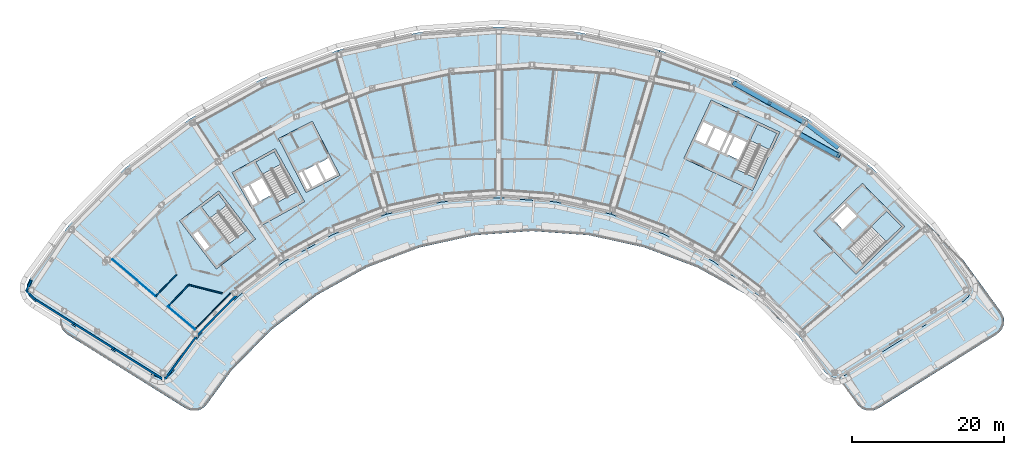
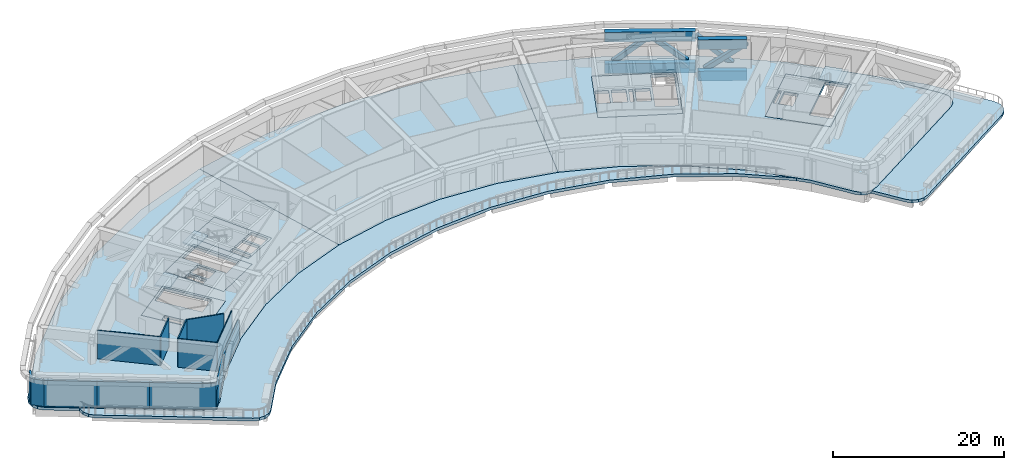
# One storey, part 6 of 26: 14 slabs, 13 walls, 4 beams, 4 members, 4 elements without a shape of their own.
"""IFC4 building model written with IfcOpenShell, lengths in metres."""

import ifcopenshell
import ifcopenshell.guid

model = None  # the IFC model being written
_history = None  # IfcOwnerHistory: only IFC2X3 demands one
_inside = {}  # id of a spatial element -> (the spatial element, [elements in it])
_under = {}  # id of a project, library or spatial element -> (it, [spatial elements below it])
_declared = {}  # id of a project -> (the project, [libraries it declares])
_typed = {}  # id of a type object -> (the type object, [elements of that type])
_made_of = {}  # id of a material, layer set ... -> (it, [elements and type objects made of it])


def new_model(schema):
    """Start an empty IFC model of exactly this schema.

    Asked for "IFC4X3", IfcOpenShell would pick the latest addendum, in which some entities
    have other attributes; the version numbers below select the first issue.
    IFC2X3 requires an IfcOwnerHistory on every rooted entity: one is made here for all.
    """
    global model, _history
    if schema == "IFC4X3":
        model = ifcopenshell.file(schema_version=(4, 3, 0, 0))
    else:
        model = ifcopenshell.file(schema=schema)
    _inside.clear()
    _under.clear()
    _declared.clear()
    _typed.clear()
    _made_of.clear()
    _history = None
    if model.schema == "IFC2X3":
        org = make("IfcOrganization", Name="unknown")
        user = make(
            "IfcPersonAndOrganization",
            ThePerson=make("IfcPerson", FamilyName="unknown"),
            TheOrganization=org,
        )
        app = make(
            "IfcApplication",
            ApplicationDeveloper=org,
            Version="unknown",
            ApplicationFullName="unknown",
            ApplicationIdentifier="unknown",
        )
        _history = make(
            "IfcOwnerHistory",
            OwningUser=user,
            OwningApplication=app,
            ChangeAction="ADDED",
            CreationDate=0,
        )
    return model


def make(cls, **values):
    """One entity of the class cls with the attributes given. An attribute that is None is left unset."""
    return model.create_entity(
        cls, **{name: value for name, value in values.items() if value is not None}
    )


def rooted(cls, **values):
    """An entity with a GlobalId (a new one), such as an element, a storey or a relation."""
    return make(cls, GlobalId=ifcopenshell.guid.new(), OwnerHistory=_history, **values)


def si_unit(unit_type, name, prefix=None):
    """IfcSIUnit, for example si_unit("LENGTHUNIT", "METRE", prefix="MILLI")."""
    return make("IfcSIUnit", UnitType=unit_type, Prefix=prefix, Name=name)


def assignment(units):
    """IfcUnitAssignment: the units of a project."""
    return None if units is None else make("IfcUnitAssignment", Units=units)


def point(xyz):
    """IfcCartesianPoint."""
    return None if xyz is None else make("IfcCartesianPoint", Coordinates=xyz)


def direction(xyz):
    """IfcDirection."""
    return None if xyz is None else make("IfcDirection", DirectionRatios=xyz)


def frame(location, z_axis=None, x_axis=None):
    """IfcAxis2Placement3D, a coordinate frame: its origin and axes. An axis left out is left unset."""
    return make(
        "IfcAxis2Placement3D",
        Location=point(location),
        Axis=direction(z_axis),
        RefDirection=direction(x_axis),
    )


def frame_2d(location, x_axis=None):
    """IfcAxis2Placement2D, a coordinate frame in the plane: its origin and x axis."""
    return make(
        "IfcAxis2Placement2D", Location=point(location), RefDirection=direction(x_axis)
    )


def origin():
    """The frame at (0, 0, 0) with its axes left unset."""
    return frame((0.0, 0.0, 0.0))


def origin_2d():
    """The frame at (0, 0) in the plane with its x axis left unset."""
    return frame_2d((0.0, 0.0))


def place(relative_to, where):
    """IfcLocalPlacement: puts the frame where relative to a parent placement (None: the world)."""
    return make(
        "IfcLocalPlacement", PlacementRelTo=relative_to, RelativePlacement=where
    )


def context(
    kind, dimensions, precision=None, world=None, true_north=None, identifier=None
):
    """IfcGeometricRepresentationContext, for example the 3D "Model" context."""
    return make(
        "IfcGeometricRepresentationContext",
        ContextIdentifier=identifier,
        ContextType=kind,
        CoordinateSpaceDimension=dimensions,
        Precision=precision,
        WorldCoordinateSystem=world,
        TrueNorth=true_north,
    )


def subcontext(parent, identifier, kind, view, scale=None):
    """IfcGeometricRepresentationSubContext, for example "Body" below "Model"."""
    return make(
        "IfcGeometricRepresentationSubContext",
        ContextIdentifier=identifier,
        ContextType=kind,
        ParentContext=parent,
        TargetScale=scale,
        TargetView=view,
    )


def project(units=None, contexts=None):
    """IfcProject with its units and contexts."""
    return rooted(
        "IfcProject",
        Name="project",
        RepresentationContexts=contexts,
        UnitsInContext=assignment(units),
    )


def spatial(cls, under=None, at=None, **own):
    """A site, building, storey or space (cls), placed at a placement, below another one or the project."""
    s = rooted(cls, ObjectPlacement=at, **own)
    if under is not None:
        _under.setdefault(under.id(), (under, []))[1].append(s)
    return s


def polyline(points):
    """IfcPolyline through the points."""
    return make("IfcPolyline", Points=[point(p) for p in points])


def profile(cls, at=None, kind="AREA", **sizes):
    """A parametric profile (cls). Its sizes go by their IFC names, for example OverallWidth=200.0."""
    return make(cls, ProfileType=kind, Position=at, **sizes)


def rectangle(**sizes):
    """IfcRectangleProfileDef."""
    return profile("IfcRectangleProfileDef", **sizes)


def hollow_rectangle(**sizes):
    """IfcRectangleHollowProfileDef."""
    return profile("IfcRectangleHollowProfileDef", **sizes)


def outline(outer, holes=None, kind="AREA"):
    """IfcArbitraryClosedProfileDef: a profile drawn as a closed curve; with holes, ...WithVoids."""
    if holes is None:
        return make("IfcArbitraryClosedProfileDef", ProfileType=kind, OuterCurve=outer)
    return make(
        "IfcArbitraryProfileDefWithVoids",
        ProfileType=kind,
        OuterCurve=outer,
        InnerCurves=holes,
    )


def extrude(swept, where, along, depth):
    """IfcExtrudedAreaSolid: the profile swept, set in the frame where, extruded along a direction by depth."""
    return make(
        "IfcExtrudedAreaSolid",
        SweptArea=swept,
        Position=where,
        ExtrudedDirection=direction(along),
        Depth=depth,
    )


def shape(context_of_items, identifier, shape_type, items):
    """IfcShapeRepresentation: the items that make up one representation, for example the "Body"."""
    return make(
        "IfcShapeRepresentation",
        ContextOfItems=context_of_items,
        RepresentationIdentifier=identifier,
        RepresentationType=shape_type,
        Items=items,
    )


def material(Name=None, Category=None):
    """IfcMaterial."""
    return make("IfcMaterial", Name=Name, Category=Category)


def layer(
    of_material, thickness, ventilated=None, Name=None, Category=None, Priority=None
):
    """IfcMaterialLayer: one layer of a wall or slab, of a material (None: an air gap)."""
    return make(
        "IfcMaterialLayer",
        Material=of_material,
        LayerThickness=thickness,
        IsVentilated=ventilated,
        Name=Name,
        Category=Category,
        Priority=Priority,
    )


def layer_set(layers, Name=None):
    """IfcMaterialLayerSet."""
    return make("IfcMaterialLayerSet", MaterialLayers=layers, LayerSetName=Name)


def material_profile(
    of_material, cross_section, Name=None, Category=None, Priority=None
):
    """IfcMaterialProfile: a cross section and its material."""
    return make(
        "IfcMaterialProfile",
        Name=Name,
        Material=of_material,
        Profile=cross_section,
        Priority=Priority,
        Category=Category,
    )


def profile_set(profiles, Name=None, composite=None):
    """IfcMaterialProfileSet."""
    return make(
        "IfcMaterialProfileSet",
        Name=Name,
        MaterialProfiles=profiles,
        CompositeProfile=composite,
    )


def made_of(thing, what):
    """Note that an element or type object is made of a material, layer set ...; save() writes the relation."""
    if what is not None:
        _made_of.setdefault(what.id(), (what, []))[1].append(thing)
    return thing


def type_object(cls, material=None, **own):
    """A type object (cls), such as IfcWallType, which elements share."""
    return made_of(rooted(cls, **own), material)


def element(
    cls,
    number,
    at=None,
    inside=None,
    cuts=None,
    type_object=None,
    material=None,
    context=None,
    identifier="Body",
    shape_type=None,
    held_by="IfcProductDefinitionShape",
    body=None,
    shapes=None,
    **own,
):
    """One element of the class cls, such as IfcWall. Its Tag is "e" and its number.

    at: its placement. inside: the storey or other place that contains it. cuts: it is an
    opening in that element (IfcRelVoidsElement). A single representation is given by context,
    identifier, shape_type and body (its items); several are given by shapes. held_by: the class
    of the entity that holds the representations. save() writes the other relations.
    """
    e = rooted(cls, Tag="e%d" % number, ObjectPlacement=at, **own)
    if body is not None:
        shapes = [shape(context, identifier, shape_type, body)]
    if shapes is not None:
        e.Representation = make(held_by, Representations=shapes)
    if inside is not None:
        _inside.setdefault(inside.id(), (inside, []))[1].append(e)
    if cuts is not None:
        rooted(
            "IfcRelVoidsElement", RelatingBuildingElement=cuts, RelatedOpeningElement=e
        )
    if type_object is not None:
        _typed.setdefault(type_object.id(), (type_object, []))[1].append(e)
    return made_of(e, material)


def aggregate(whole, parts):
    """IfcRelAggregates: a whole, such as a stair, and the parts it consists of."""
    return rooted("IfcRelAggregates", RelatingObject=whole, RelatedObjects=parts)


def save(model, path):
    """Write the relations noted so far, then the file.

    IfcRelAggregates (storeys below a building ...), IfcRelContainedInSpatialStructure (elements
    in a storey), IfcRelDefinesByType, IfcRelAssociatesMaterial and IfcRelDeclares: one each for
    every whole, place, type object, material and project.
    """
    for whole, parts in _under.values():
        aggregate(whole, parts)
    for where, things in _inside.values():
        rooted(
            "IfcRelContainedInSpatialStructure",
            RelatedElements=things,
            RelatingStructure=where,
        )
    for kind, things in _typed.values():
        rooted("IfcRelDefinesByType", RelatedObjects=things, RelatingType=kind)
    for what, things in _made_of.values():
        rooted("IfcRelAssociatesMaterial", RelatedObjects=things, RelatingMaterial=what)
    for by, libraries in _declared.values():
        rooted("IfcRelDeclares", RelatingContext=by, RelatedDefinitions=libraries)
    model.write(path)


model = new_model("IFC4")

# Units and contexts
model_context = context("Model", 3, precision=1e-05, world=origin(), true_north=direction((0.0, 1.0)))
body_context = subcontext(model_context, "Body", "Model", "MODEL_VIEW")
ifc_project = project(units=[si_unit("LENGTHUNIT", "METRE"), si_unit("AREAUNIT", "SQUARE_METRE"), si_unit("VOLUMEUNIT", "CUBIC_METRE"), si_unit("PLANEANGLEUNIT", "RADIAN"), si_unit("MASSUNIT", "GRAM", prefix="KILO")], contexts=[model_context])

# Site, building, storey
site_placement = place(None, origin())
site = spatial("IfcSite", under=ifc_project, at=site_placement, CompositionType="ELEMENT")
building_placement = place(site_placement, origin())
building = spatial("IfcBuilding", under=site, at=building_placement, Name="Tuul Gate Civic Tower", CompositionType="ELEMENT")
storey_placement = place(building_placement, frame((0.0, 0.0, 167.60009765625)))
storey = spatial("IfcBuildingStorey", under=building, at=storey_placement, Name="Plant and refuge floor 5", CompositionType="ELEMENT", Elevation=167.60009765625)

# Beams
ifc_material_1 = material(Name="Steel S460", Category="steel")
ifc_material_profile_1 = material_profile(ifc_material_1, hollow_rectangle(XDim=0.699951171875, YDim=1.39990234375, WallThickness=0.0400390625, at=origin_2d()), Name="BOX1400x700x40")
ifc_profile_set_1 = profile_set([ifc_material_profile_1], Name="Steel S460")
beam_type = type_object("IfcBeamType", Name="STR-TRANSFER TRUSS CHORD-BOX1400x700x40", PredefinedType="BEAM", material=ifc_profile_set_1)
for number, where, z_axis, x_axis, name in (
    (1, (41.39208984375, 1.593017578125, -1.10009765625), (-0.874588358597, 0.484866170202, 0.0), (-0.484866170202, -0.874588358597, 0.0), "Belt truss bottom chord"),
    (2, (41.39208984375, 1.593017578125, 3.39990234375), (-0.874588358597, 0.484866170202, 0.0), (-0.484866170202, -0.874588358597, 0.0), "Belt truss top chord"),
):
    element("IfcBeam", number, at=place(storey_placement, frame(where, z_axis=z_axis, x_axis=x_axis)), inside=storey, type_object=beam_type, Name=name, PredefinedType="BEAM", context=body_context, shape_type="SweptSolid", body=[
        extrude(hollow_rectangle(XDim=0.699951171875, YDim=1.39990234375, WallThickness=0.0400390625, at=origin_2d()), origin(), (0.0, 0.0, 1.0), 10.67724609375),
    ])
for number, where, z_axis, x_axis, name in (
    (3, (45.77587890625, -2.791015625, -1.10009765625), (-0.874617860677, 0.484812951337, 0.0), (-0.484812951337, -0.874617860677, 0.0), "Belt truss bottom chord"),
    (4, (45.77587890625, -2.791015625, 3.39990234375), (-0.874617860677, 0.484812951337, 0.0), (-0.484812951337, -0.874617860677, 0.0), "Belt truss top chord"),
):
    element("IfcBeam", number, at=place(storey_placement, frame(where, z_axis=z_axis, x_axis=x_axis)), inside=storey, type_object=beam_type, Name=name, PredefinedType="BEAM", context=body_context, shape_type="SweptSolid", body=[
        extrude(hollow_rectangle(XDim=0.699951171875, YDim=1.39990234375, WallThickness=0.0400390625, at=origin_2d()), origin(), (0.0, 0.0, 1.0), 5.745849609375),
    ])

# Members
ifc_material_2 = material(Name="Steel S355", Category="steel")
ifc_material_profile_2 = material_profile(ifc_material_2, hollow_rectangle(XDim=0.60009765625, YDim=0.60009765625, WallThickness=0.02490234375, at=origin_2d()), Name="BOX600x600x25")
ifc_profile_set_2 = profile_set([ifc_material_profile_2], Name="Steel S355")
member_type = type_object("IfcMemberType", Name="STR-TRANSFER TRUSS DIAGONAL-BOX600x600x25", PredefinedType="BRACE", material=ifc_profile_set_2)
for number, where, z_axis, x_axis, name in (
    (5, (45.642578125, -1.643310546875, -1.103271484375), (-0.608356350167, 0.463172070537, 0.644495294231), (-0.605763872928, -0.795644474785, 0.0), "Belt truss web"),
    (6, (41.395263671875, 1.591064453125, -1.103271484375), (-0.66870018652, 0.370751322671, 0.644502534739), (-0.484894414167, -0.874572699728, 0.0), "Belt truss web"),
):
    element("IfcMember", number, at=place(storey_placement, frame(where, z_axis=z_axis, x_axis=x_axis)), inside=storey, type_object=member_type, Name=name, PredefinedType="BRACE", context=body_context, shape_type="SweptSolid", body=[
        extrude(hollow_rectangle(XDim=0.60009765625, YDim=0.60009765625, WallThickness=0.02490234375, at=origin_2d()), origin(), (0.0, 0.0, 1.0), 6.991943359375),
    ])
member_1_placement = place(storey_placement, frame((32.050537109375, 6.77197265625, -1.103271484375), z_axis=(0.668719489497, -0.370742666013, 0.644487486275), x_axis=(0.484875048481, 0.874583436477, 0.0)))
element("IfcMember", 7, at=member_1_placement, inside=storey, type_object=member_type, Name="Belt truss web", PredefinedType="BRACE", context=body_context, shape_type="SweptSolid", body=[
    extrude(hollow_rectangle(XDim=0.60009765625, YDim=0.60009765625, WallThickness=0.02490234375, at=origin_2d()), origin(), (0.0, 0.0, 1.0), 6.9921875),
])
member_2_placement = place(storey_placement, frame((40.45166015625, 0.16015625, -1.10302734375), z_axis=(0.703170457293, -0.389751631371, 0.594680564533), x_axis=(0.484788575283, 0.874631372222, 0.0)))
element("IfcMember", 8, at=member_2_placement, inside=storey, type_object=member_type, Name="Belt truss web", PredefinedType="BRACE", context=body_context, shape_type="SweptSolid", body=[
    extrude(hollow_rectangle(XDim=0.60009765625, YDim=0.60009765625, WallThickness=0.02490234375, at=origin_2d()), origin(), (0.0, 0.0, 1.0), 7.576904296875),
])

# Slabs
ifc_material_3 = material(Name="Concrete C40/50", Category="concrete")
ifc_layer_1 = layer(ifc_material_3, 0.39990234375)
ifc_layer_set_1 = layer_set([ifc_layer_1], Name="Concrete C40/50")
slab_type_1 = type_object("IfcSlabType", Name="Core floor slab 400", PredefinedType="FLOOR", material=ifc_layer_set_1)
slab_1_placement = place(storey_placement, frame((0.0, 0.0, -0.400146484375)))
element("IfcSlab", 9, at=slab_1_placement, inside=storey, type_object=slab_type_1, Name="FLOOR SLAB", PredefinedType="FLOOR", context=body_context, shape_type="SweptSolid", body=[
    extrude(outline(polyline([(-31.10009765625, -13.7890625), (-35.946044921875, -7.423828125), (-41.11767578125, -11.361572265625), (-36.271484375, -17.726806640625), (-31.10009765625, -13.7890625)]), holes=[polyline([(-37.19287109375, -14.783203125), (-38.737548828125, -12.75439453125), (-39.45361328125, -13.299560546875), (-37.908935546875, -15.328369140625), (-37.19287109375, -14.783203125)]), polyline([(-32.33935546875, -12.65771484375), (-34.56591796875, -14.352783203125), (-38.229736328125, -9.54052734375), (-36.003173828125, -7.845458984375), (-32.33935546875, -12.65771484375)])]), origin(), (0.0, 0.0, 1.0), 0.400146484375),
])
slab_2_placement = place(storey_placement, frame((0.0, 0.0, -0.400146484375)))
element("IfcSlab", 10, at=slab_2_placement, inside=storey, type_object=slab_type_1, Name="FLOOR SLAB", PredefinedType="FLOOR", context=body_context, shape_type="SweptSolid", body=[
    extrude(outline(polyline([(-24.638916015625, -8.846923828125), (-28.51708984375, -1.849853515625), (-34.2021484375, -5.0009765625), (-30.32421875, -11.998046875), (-24.638916015625, -8.846923828125)]), holes=[polyline([(-29.0185546875, -7.958740234375), (-30.254638671875, -5.728515625), (-31.785400390625, -6.576904296875), (-30.54931640625, -8.80712890625), (-29.0185546875, -7.958740234375)]), polyline([(-30.8115234375, -8.95263671875), (-32.047607421875, -6.72216796875), (-32.8349609375, -7.158447265625), (-31.5986328125, -9.388916015625), (-30.8115234375, -8.95263671875)]), polyline([(-25.702392578125, -7.548828125), (-28.14990234375, -8.905517578125), (-31.08203125, -3.615234375), (-28.63427734375, -2.2587890625), (-25.702392578125, -7.548828125)])]), origin(), (0.0, 0.0, 1.0), 0.400146484375),
])
slab_3_placement = place(storey_placement, frame((0.0, 0.0, -0.400146484375)))
element("IfcSlab", 11, at=slab_3_placement, inside=storey, type_object=slab_type_1, Name="FLOOR SLAB", PredefinedType="FLOOR", context=body_context, shape_type="SweptSolid", body=[
    extrude(outline(polyline([(48.117919921875, -18.43310546875), (54.545166015625, -12.1328125), (48.945068359375, -6.419921875), (42.517822265625, -12.719970703125), (48.117919921875, -18.43310546875)]), holes=[polyline([(46.373779296875, -12.510986328125), (48.19482421875, -10.725830078125), (46.969970703125, -9.47607421875), (45.14892578125, -11.26123046875), (46.373779296875, -12.510986328125)]), polyline([(44.93896484375, -11.046875), (46.760009765625, -9.261962890625), (46.514892578125, -9.011962890625), (44.69384765625, -10.797119140625), (44.93896484375, -11.046875)]), polyline([(49.086181640625, -17.062744140625), (47.12744140625, -15.064208984375), (52.160888671875, -10.130126953125), (54.11962890625, -12.128662109375), (49.086181640625, -17.062744140625)])]), origin(), (0.0, 0.0, 1.0), 0.400146484375),
])
slab_4_placement = place(storey_placement, frame((0.0, 0.0, -0.400146484375)))
element("IfcSlab", 12, at=slab_4_placement, inside=storey, type_object=slab_type_1, Name="FLOOR SLAB", PredefinedType="FLOOR", context=body_context, shape_type="SweptSolid", body=[
    extrude(outline(polyline([(34.465087890625, -7.385986328125), (38.056884765625, 0.31787109375), (28.993896484375, 4.543701171875), (25.40185546875, -3.159912109375), (34.465087890625, -7.385986328125)]), holes=[polyline([(32.60888671875, -3.32080078125), (33.6865234375, -1.009765625), (32.1005859375, -0.27001953125), (31.02294921875, -2.581298828125), (32.60888671875, -3.32080078125)]), polyline([(30.0712890625, -2.137451171875), (31.14892578125, 0.173583984375), (29.562744140625, 0.9130859375), (28.4853515625, -1.39794921875), (30.0712890625, -2.137451171875)]), polyline([(30.751220703125, -2.454345703125), (31.82861328125, -0.143310546875), (31.4208984375, 0.046875), (30.34326171875, -2.264404296875), (30.751220703125, -2.454345703125)]), polyline([(28.21337890625, -1.27099609375), (29.291015625, 1.0400390625), (27.8408203125, 1.71630859375), (26.76318359375, -0.594970703125), (28.21337890625, -1.27099609375)]), polyline([(34.889892578125, -5.7626953125), (32.353759765625, -4.580078125), (35.120849609375, 1.354736328125), (37.6572265625, 0.17236328125), (34.889892578125, -5.7626953125)])]), origin(), (0.0, 0.0, 1.0), 0.400146484375),
])
ifc_material_4 = material(Name="Concrete C40/50", Category="concrete")
ifc_layer_2 = layer(ifc_material_4, 0.39990234375)
ifc_layer_set_2 = layer_set([ifc_layer_2], Name="Concrete C40/50")
slab_type_2 = type_object("IfcSlabType", Name="Core floor slab 400 non-bearing", PredefinedType="FLOOR", material=ifc_layer_set_2)
slab_5_placement = place(storey_placement, frame((0.0, 0.0, -0.400146484375)))
element("IfcSlab", 13, at=slab_5_placement, inside=storey, type_object=slab_type_2, Name="FLOOR SLAB", PredefinedType="FLOOR", context=body_context, shape_type="SweptSolid", body=[
    extrude(outline(polyline([(-19.98095703125, -5.365966796875), (-23.613037109375, 1.761962890625), (-28.068115234375, -0.508056640625), (-24.43603515625, -7.635986328125), (-19.98095703125, -5.365966796875)]), holes=[polyline([(-20.384521484375, -5.23486328125), (-21.47412109375, -3.096435546875), (-22.899658203125, -3.822998046875), (-21.81005859375, -5.961181640625), (-20.384521484375, -5.23486328125)]), polyline([(-22.077392578125, -6.097412109375), (-23.1669921875, -3.958984375), (-24.726318359375, -4.753662109375), (-23.63671875, -6.89208984375), (-22.077392578125, -6.097412109375)]), polyline([(-23.8359375, -7.161865234375), (-24.99365234375, -4.889892578125), (-25.5283203125, -5.162109375), (-24.37060546875, -7.434326171875), (-23.8359375, -7.161865234375)])]), origin(), (0.0, 0.0, 1.0), 0.400146484375),
])

# Stair, slab
ifc_material_5 = material(Name="Concrete C40/50", Category="concrete")
stair_type = type_object("IfcStairType", Name="Exit stair", PredefinedType="HALF_TURN_STAIR", material=ifc_material_5)
stair_1_placement = place(storey_placement, origin())
stair_1 = element("IfcStair", 14, at=stair_1_placement, inside=storey, type_object=stair_type, Name="Plant and refuge floor 5 ST-1", PredefinedType="HALF_TURN_STAIR")
ifc_material_6 = material(Name="Concrete C40/50", Category="concrete")
ifc_layer_3 = layer(ifc_material_6, 0.199951171875)
ifc_layer_set_3 = layer_set([ifc_layer_3], Name="Concrete C40/50")
slab_type_3 = type_object("IfcSlabType", Name="Exit stair landing", PredefinedType="LANDING", material=ifc_layer_set_3)
slab_6_placement = place(storey_placement, frame((0.0, 0.0, 2.0498046875)))
slab_6 = element("IfcSlab", 15, at=slab_6_placement, type_object=slab_type_3, Name="ST-1 landing 1", PredefinedType="LANDING", context=body_context, shape_type="SweptSolid", body=[
    extrude(outline(polyline([(-34.88134765625, -9.31640625), (-37.1103515625, -11.013427734375), (-38.23193359375, -9.540283203125), (-36.0029296875, -7.843017578125), (-34.88134765625, -9.31640625)])), origin(), (0.0, 0.0, 1.0), 0.2001953125),
])
aggregate(stair_1, [slab_6])

stair_2_placement = place(storey_placement, origin())
stair_2 = element("IfcStair", 16, at=stair_2_placement, inside=storey, type_object=stair_type, Name="Plant and refuge floor 5 ST-2", PredefinedType="HALF_TURN_STAIR")
slab_7_placement = place(storey_placement, frame((0.0, 0.0, 2.0498046875)))
slab_7 = element("IfcSlab", 17, at=slab_7_placement, type_object=slab_type_3, Name="ST-2 landing 1", PredefinedType="LANDING", context=body_context, shape_type="SweptSolid", body=[
    extrude(outline(polyline([(-27.736083984375, -3.8759765625), (-30.1865234375, -5.234130859375), (-31.084228515625, -3.61474609375), (-28.6337890625, -2.256591796875), (-27.736083984375, -3.8759765625)])), origin(), (0.0, 0.0, 1.0), 0.2001953125),
])
aggregate(stair_2, [slab_7])

stair_3_placement = place(storey_placement, origin())
stair_3 = element("IfcStair", 18, at=stair_3_placement, inside=storey, type_object=stair_type, Name="Plant and refuge floor 5 ST-3", PredefinedType="HALF_TURN_STAIR")
slab_8_placement = place(storey_placement, frame((0.0, 0.0, 2.0498046875)))
slab_8 = element("IfcSlab", 19, at=slab_8_placement, type_object=slab_type_3, Name="ST-3 landing 1", PredefinedType="LANDING", context=body_context, shape_type="SweptSolid", body=[
    extrude(outline(polyline([(52.085693359375, -14.124755859375), (50.12451171875, -12.1240234375), (52.160888671875, -10.1279296875), (54.1220703125, -12.128662109375), (52.085693359375, -14.124755859375)])), origin(), (0.0, 0.0, 1.0), 0.2001953125),
])
aggregate(stair_3, [slab_8])

stair_4_placement = place(storey_placement, origin())
stair_4 = element("IfcStair", 20, at=stair_4_placement, inside=storey, type_object=stair_type, Name="Plant and refuge floor 5 ST-4", PredefinedType="HALF_TURN_STAIR")
slab_9_placement = place(storey_placement, frame((0.0, 0.0, 2.0498046875)))
slab_9 = element("IfcSlab", 21, at=slab_9_placement, type_object=slab_type_3, Name="ST-4 landing 1", PredefinedType="LANDING", context=body_context, shape_type="SweptSolid", body=[
    extrude(outline(polyline([(36.66552734375, -1.958251953125), (34.12646484375, -0.7744140625), (35.1201171875, 1.35693359375), (37.659423828125, 0.173095703125), (36.66552734375, -1.958251953125)])), origin(), (0.0, 0.0, 1.0), 0.2001953125),
])
aggregate(stair_4, [slab_9])

# Slabs
ifc_material_7 = material(Name="Concrete C35/45", Category="concrete")
ifc_layer_4 = layer(ifc_material_7, 0.39990234375)
ifc_layer_set_4 = layer_set([ifc_layer_4], Name="Concrete C35/45")
slab_type_4 = type_object("IfcSlabType", Name="STR-FLOOR-SLAB-400", PredefinedType="FLOOR", material=ifc_layer_set_4)
slab_10_placement = place(storey_placement, frame((0.0, 0.0, -0.400146484375)))
element("IfcSlab", 22, at=slab_10_placement, inside=storey, type_object=slab_type_4, Name="Plant and refuge floor 5/slab/W", PredefinedType="FLOOR", context=body_context, shape_type="SweptSolid", body=[
    extrude(outline(polyline([(-20.843994140625, -13.154052734375), (-13.823974609375, -10.4990234375), (-20.258056640625, 11.123046875), (-30.326904296875, 7.31494140625), (-39.740966796875, 2.096923828125), (-48.305908203125, -4.424072265625), (-55.841064453125, -12.111083984375), (-60.922119140625, -19.06689453125), (-61.258056640625, -19.81103515625), (-61.27001953125, -20.6259765625), (-60.955078125, -21.37890625), (-60.365966796875, -21.943115234375), (-44.635986328125, -31.77197265625), (-43.94189453125, -32.04296875), (-43.197021484375, -32.0400390625), (-42.5048828125, -31.764892578125), (-41.9609375, -31.256103515625), (-38.632080078125, -26.697998046875), (-33.37890625, -21.337890625), (-27.407958984375, -16.7919921875), (-20.843994140625, -13.154052734375)]), holes=[polyline([(-31.10009765625, -13.7890625), (-36.27197265625, -17.72705078125), (-41.117919921875, -11.362060546875), (-35.946044921875, -7.424072265625), (-31.10009765625, -13.7890625)]), polyline([(-24.638916015625, -8.846923828125), (-30.323974609375, -11.998046875), (-34.201904296875, -5.0009765625), (-28.51708984375, -1.85009765625), (-24.638916015625, -8.846923828125)]), polyline([(-24.43603515625, -7.635986328125), (-28.068115234375, -0.508056640625), (-23.613037109375, 1.761962890625), (-19.98095703125, -5.365966796875), (-24.43603515625, -7.635986328125)])]), origin(), (0.0, 0.0, 1.0), 0.400146484375),
])
slab_11_placement = place(storey_placement, frame((0.0, 0.0, -0.400146484375)))
element("IfcSlab", 23, at=slab_11_placement, inside=storey, type_object=slab_type_4, Name="Plant and refuge floor 5/slab/M", PredefinedType="FLOOR", context=body_context, shape_type="SweptSolid", body=[
    extrude(outline(polyline([(15.803955078125, -10.4990234375), (22.238037109375, 11.123046875), (11.72607421875, 13.43994140625), (0.989990234375, 14.217041015625), (-9.74609375, 13.43994140625), (-20.258056640625, 11.123046875), (-13.823974609375, -10.4990234375), (-6.4951171875, -8.884033203125), (0.989990234375, -8.342041015625), (8.47509765625, -8.884033203125), (15.803955078125, -10.4990234375)])), origin(), (0.0, 0.0, 1.0), 0.400146484375),
])
slab_12_placement = place(storey_placement, frame((0.0, 0.0, -0.400146484375)))
element("IfcSlab", 24, at=slab_12_placement, inside=storey, type_object=slab_type_4, Name="Plant and refuge floor 5/slab/E", PredefinedType="FLOOR", context=body_context, shape_type="SweptSolid", body=[
    extrude(outline(polyline([(45.922119140625, -32.04296875), (46.615966796875, -31.77197265625), (62.345947265625, -21.943115234375), (62.93505859375, -21.37890625), (63.25, -20.6259765625), (63.238037109375, -19.81103515625), (62.90087890625, -19.06689453125), (57.821044921875, -12.111083984375), (50.284912109375, -4.424072265625), (41.720947265625, 2.096923828125), (32.306884765625, 7.31494140625), (22.238037109375, 11.123046875), (15.803955078125, -10.4990234375), (22.823974609375, -13.154052734375), (29.387939453125, -16.7919921875), (35.35888671875, -21.337890625), (40.612060546875, -26.697998046875), (43.94091796875, -31.256103515625), (44.485107421875, -31.764892578125), (45.177001953125, -32.0400390625), (45.922119140625, -32.04296875)]), holes=[polyline([(48.117919921875, -18.43310546875), (42.51806640625, -12.719970703125), (48.945068359375, -6.419921875), (54.544921875, -12.133056640625), (48.117919921875, -18.43310546875)]), polyline([(25.402099609375, -3.159912109375), (28.993896484375, 4.5439453125), (38.056884765625, 0.318115234375), (34.465087890625, -7.385986328125), (25.402099609375, -3.159912109375)])]), origin(), (0.0, 0.0, 1.0), 0.400146484375),
])
ifc_material_8 = material(Name="Concrete C40/50", Category="concrete")
ifc_layer_5 = layer(ifc_material_8, 0.39990234375)
ifc_layer_set_5 = layer_set([ifc_layer_5], Name="Concrete C40/50")
slab_type_5 = type_object("IfcSlabType", Name="STR-TERRACE-SLAB-400", PredefinedType="ROOF", material=ifc_layer_set_5)
slab_13_placement = place(storey_placement, frame((0.0, 0.0, -0.400146484375)))
element("IfcSlab", 25, at=slab_13_placement, inside=storey, type_object=slab_type_5, Name="terrace 1", PredefinedType="ROOF", context=body_context, shape_type="SweptSolid", body=[
    extrude(outline(polyline([(54.669921875, -8.80810546875), (62.205078125, -16.4951171875), (67.284912109375, -23.451904296875), (67.6220703125, -24.195068359375), (67.634033203125, -25.010009765625), (67.319091796875, -25.762939453125), (66.72998046875, -26.326904296875), (51.0, -36.156005859375), (50.305908203125, -36.427001953125), (49.56103515625, -36.424072265625), (48.868896484375, -36.14892578125), (48.324951171875, -35.639892578125), (45.697265625, -32.0419921875), (45.922119140625, -32.04296875), (46.615966796875, -31.77197265625), (62.345947265625, -21.943115234375), (62.93505859375, -21.37890625), (63.25, -20.6259765625), (63.238037109375, -19.81103515625), (62.90087890625, -19.06689453125), (57.821044921875, -12.111083984375), (54.326416015625, -8.54638671875), (54.669921875, -8.80810546875)])), origin(), (0.0, 0.0, 1.0), 0.400146484375),
])
slab_14_placement = place(storey_placement, frame((0.0, 0.0, -0.400146484375)))
element("IfcSlab", 26, at=slab_14_placement, inside=storey, type_object=slab_type_5, Name="terrace 2", PredefinedType="ROOF", context=body_context, shape_type="SweptSolid", body=[
    extrude(outline(polyline([(33.77197265625, -21.176025390625), (27.2080078125, -17.5380859375), (20.18798828125, -14.883056640625), (12.85888671875, -13.26806640625), (5.3740234375, -12.72607421875), (-2.111083984375, -13.26806640625), (-9.43994140625, -14.883056640625), (-16.4599609375, -17.5380859375), (-23.02392578125, -21.176025390625), (-28.9951171875, -25.721923828125), (-34.248046875, -31.08203125), (-37.576904296875, -35.639892578125), (-38.12109375, -36.14892578125), (-38.81298828125, -36.424072265625), (-39.55810546875, -36.427001953125), (-40.251953125, -36.156005859375), (-55.98193359375, -26.326904296875), (-56.571044921875, -25.762939453125), (-56.885986328125, -25.010009765625), (-56.8740234375, -24.195068359375), (-56.849365234375, -24.140380859375), (-44.635986328125, -31.77197265625), (-43.94189453125, -32.04296875), (-43.197021484375, -32.0400390625), (-42.5048828125, -31.764892578125), (-41.9609375, -31.256103515625), (-38.632080078125, -26.697998046875), (-33.37890625, -21.337890625), (-27.407958984375, -16.7919921875), (-20.843994140625, -13.154052734375), (-13.823974609375, -10.4990234375), (-6.4951171875, -8.884033203125), (0.989990234375, -8.342041015625), (8.47509765625, -8.884033203125), (15.803955078125, -10.4990234375), (22.823974609375, -13.154052734375), (29.387939453125, -16.7919921875), (35.35888671875, -21.337890625), (39.398193359375, -25.45947265625), (33.77197265625, -21.176025390625)])), origin(), (0.0, 0.0, 1.0), 0.400146484375),
])

# Walls
ifc_material_9 = material(Name="Gypsum board partition")
ifc_layer_6 = layer(ifc_material_9, 0.14990234375)
ifc_layer_set_6 = layer_set([ifc_layer_6], Name="Gypsum board partition")
wall_type_1 = type_object("IfcWallType", Name="Corridor wall P150", PredefinedType="PARTITIONING", material=ifc_layer_set_6)
wall_1_placement = place(storey_placement, frame((-44.28369140625, -21.3173828125, 0.0), z_axis=(0.0, 0.0, 1.0), x_axis=(0.696146795747, 0.717899462858, 0.0)))
element("IfcWall", 27, at=wall_1_placement, inside=storey, type_object=wall_type_1, Name="p057", PredefinedType="PARTITIONING", context=body_context, shape_type="SweptSolid", body=[
    extrude(rectangle(XDim=3.97314453125, YDim=0.14990234375, at=frame_2d((1.986572265625, 0.0))), origin(), (0.0, 0.0, 1.0), 4.099853515625),
])
wall_2_placement = place(storey_placement, frame((-39.89306640625, -19.820556640625, 0.0), z_axis=(0.0, 0.0, 1.0), x_axis=(0.969132766736, -0.246539409503, 0.0)))
element("IfcWall", 28, at=wall_2_placement, inside=storey, type_object=wall_type_1, Name="p060", PredefinedType="PARTITIONING", context=body_context, shape_type="SweptSolid", body=[
    extrude(rectangle(XDim=4.560302734375, YDim=0.14990234375, at=frame_2d((2.2802734375, 0.0))), origin(), (0.0, 0.0, 1.0), 4.099853515625),
])
wall_3_placement = place(storey_placement, frame((-42.67822265625, -22.678466796875, 0.0), z_axis=(0.0, 0.0, 1.0), x_axis=(0.696116086897, 0.717929239942, 0.0)))
element("IfcWall", 29, at=wall_3_placement, inside=storey, type_object=wall_type_1, Name="p061", PredefinedType="PARTITIONING", context=body_context, shape_type="SweptSolid", body=[
    extrude(rectangle(XDim=3.973388671875, YDim=0.14990234375, at=frame_2d((1.98681640625, 0.0))), origin(), (0.0, 0.0, 1.0), 4.099853515625),
])
ifc_material_10 = material(Name="Precast concrete C40/50", Category="concrete")
ifc_layer_7 = layer(ifc_material_10, 0.25)
ifc_layer_set_7 = layer_set([ifc_layer_7], Name="Precast concrete C40/50")
wall_type_2 = type_object("IfcWallType", Name="External wall", PredefinedType="STANDARD", material=ifc_layer_set_7)
wall_4_placement = place(storey_placement, frame((-60.686279296875, -19.207763671875, 0.0), z_axis=(0.0, 0.0, 1.0), x_axis=(-0.413521925612, -0.910494160903, 0.0)))
element("IfcWall", 30, at=wall_4_placement, inside=storey, type_object=wall_type_2, Name="External wall", PredefinedType="STANDARD", context=body_context, shape_type="SweptSolid", body=[
    extrude(rectangle(XDim=1.571044921875, YDim=0.25, at=frame_2d((0.78564453125, 0.0))), origin(), (0.0, 0.0, 1.0), 3.75),
])
wall_5_placement = place(storey_placement, frame((-61.3359375, -20.63818359375, 0.0), z_axis=(0.0, 0.0, 1.0), x_axis=(0.722159471489, -0.69172660621, 0.0)))
element("IfcWall", 31, at=wall_5_placement, inside=storey, type_object=wall_type_2, Name="External wall", PredefinedType="STANDARD", context=body_context, shape_type="SweptSolid", body=[
    extrude(rectangle(XDim=1.572265625, YDim=0.25, at=frame_2d((0.7861328125, 0.0))), origin(), (0.0, 0.0, 1.0), 3.75),
])
wall_6_placement = place(storey_placement, frame((-60.220703125, -21.7099609375, 0.0), z_axis=(0.0, 0.0, 1.0), x_axis=(0.848042669488, -0.529927948619, 0.0)))
element("IfcWall", 32, at=wall_6_placement, inside=storey, type_object=wall_type_2, Name="External wall", PredefinedType="STANDARD", context=body_context, shape_type="SweptSolid", body=[
    extrude(rectangle(XDim=6.1826171875, YDim=0.25, at=frame_2d((3.09130859375, 0.0))), origin(), (0.0, 0.0, 1.0), 3.75),
])
wall_7_placement = place(storey_placement, frame((-54.9775390625, -24.986328125, 0.0), z_axis=(0.0, 0.0, 1.0), x_axis=(0.848053758074, -0.529910203164, 0.0)))
element("IfcWall", 33, at=wall_7_placement, inside=storey, type_object=wall_type_2, Name="External wall", PredefinedType="STANDARD", context=body_context, shape_type="SweptSolid", body=[
    extrude(rectangle(XDim=6.182861328125, YDim=0.25, at=frame_2d((3.09130859375, 0.0))), origin(), (0.0, 0.0, 1.0), 3.75),
])
wall_8_placement = place(storey_placement, frame((-49.734130859375, -28.2626953125, 0.0), z_axis=(0.0, 0.0, 1.0), x_axis=(0.848047613046, -0.52992003737, 0.0)))
element("IfcWall", 34, at=wall_8_placement, inside=storey, type_object=wall_type_2, Name="External wall", PredefinedType="STANDARD", context=body_context, shape_type="SweptSolid", body=[
    extrude(rectangle(XDim=7.787841796875, YDim=0.25, at=frame_2d((3.89404296875, 0.0))), origin(), (0.0, 0.0, 1.0), 3.75),
])
ifc_material_11 = material(Name="Precast concrete C40/50", Category="concrete")
ifc_layer_8 = layer(ifc_material_11, 0.25)
ifc_layer_set_8 = layer_set([ifc_layer_8], Name="Precast concrete C40/50")
wall_type_3 = type_object("IfcWallType", Name="External wall 2700 HIGH", PredefinedType="STANDARD", material=ifc_layer_set_8)
wall_9_placement = place(storey_placement, frame((-43.129638671875, -32.3896484375, 0.0), z_axis=(0.0, 0.0, 1.0), x_axis=(0.589739654105, 0.807593425169, 0.0)))
element("IfcWall", 35, at=wall_9_placement, inside=storey, type_object=wall_type_3, Name="External wall", PredefinedType="STANDARD", context=body_context, shape_type="SweptSolid", body=[
    extrude(rectangle(XDim=7.095947265625, YDim=0.25, at=frame_2d((3.5478515625, 0.0))), origin(), (0.0, 0.0, 1.0), 2.699951171875),
])
wall_10_placement = place(storey_placement, frame((-38.740966796875, -26.415283203125, 0.0), z_axis=(0.0, 0.0, 1.0), x_axis=(0.700103722568, 0.71404115963, 0.0)))
element("IfcWall", 36, at=wall_10_placement, inside=storey, type_object=wall_type_3, Name="External wall", PredefinedType="STANDARD", context=body_context, shape_type="SweptSolid", body=[
    extrude(rectangle(XDim=7.251953125, YDim=0.25, at=frame_2d((3.6259765625, 0.0))), origin(), (0.0, 0.0, 1.0), 2.699951171875),
])
ifc_material_12 = material(Name="Gypsum board partition")
ifc_layer_9 = layer(ifc_material_12, 0.10009765625)
ifc_layer_set_9 = layer_set([ifc_layer_9], Name="Gypsum board partition")
wall_type_4 = type_object("IfcWallType", Name="Partition P100", PredefinedType="PARTITIONING", material=ifc_layer_set_9)
wall_11_placement = place(storey_placement, frame((-44.28369140625, -21.3173828125, 0.0), z_axis=(0.0, 0.0, 1.0), x_axis=(-0.762840391058, 0.646586836991, 0.0)))
element("IfcWall", 37, at=wall_11_placement, inside=storey, type_object=wall_type_4, Name="p127", PredefinedType="PARTITIONING", context=body_context, shape_type="SweptSolid", body=[
    extrude(rectangle(XDim=7.4677734375, YDim=0.10009765625, at=frame_2d((3.73388671875, 0.0))), origin(), (0.0, 0.0, 1.0), 4.099853515625),
])
wall_12_placement = place(storey_placement, frame((-34.370849609375, -20.85009765625, 0.0), z_axis=(0.0, 0.0, 1.0), x_axis=(-0.699963460577, -0.71417865682, 0.0)))
element("IfcWall", 38, at=wall_12_placement, inside=storey, type_object=wall_type_4, Name="p132", PredefinedType="PARTITIONING", context=body_context, shape_type="SweptSolid", body=[
    extrude(rectangle(XDim=6.783935546875, YDim=0.10009765625, at=frame_2d((3.39208984375, 0.0))), origin(), (0.0, 0.0, 1.0), 4.099853515625),
])
wall_13_placement = place(storey_placement, frame((-39.119384765625, -25.695068359375, 0.0), z_axis=(0.0, 0.0, 1.0), x_axis=(-0.762828225039, 0.646601190134, 0.0)))
element("IfcWall", 39, at=wall_13_placement, inside=storey, type_object=wall_type_4, Name="p133", PredefinedType="PARTITIONING", context=body_context, shape_type="SweptSolid", body=[
    extrude(rectangle(XDim=4.665283203125, YDim=0.10009765625, at=frame_2d((2.33251953125, 0.0))), origin(), (0.0, 0.0, 1.0), 4.099853515625),
])

save(model, "model.ifc")
